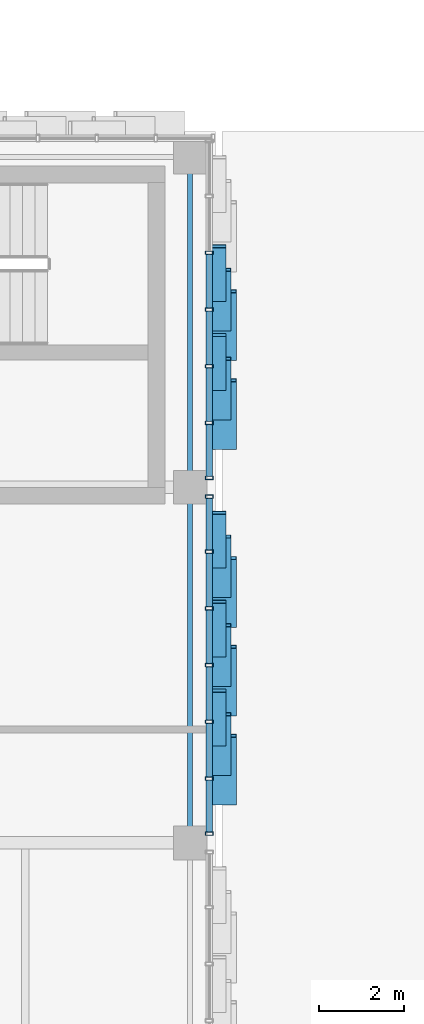
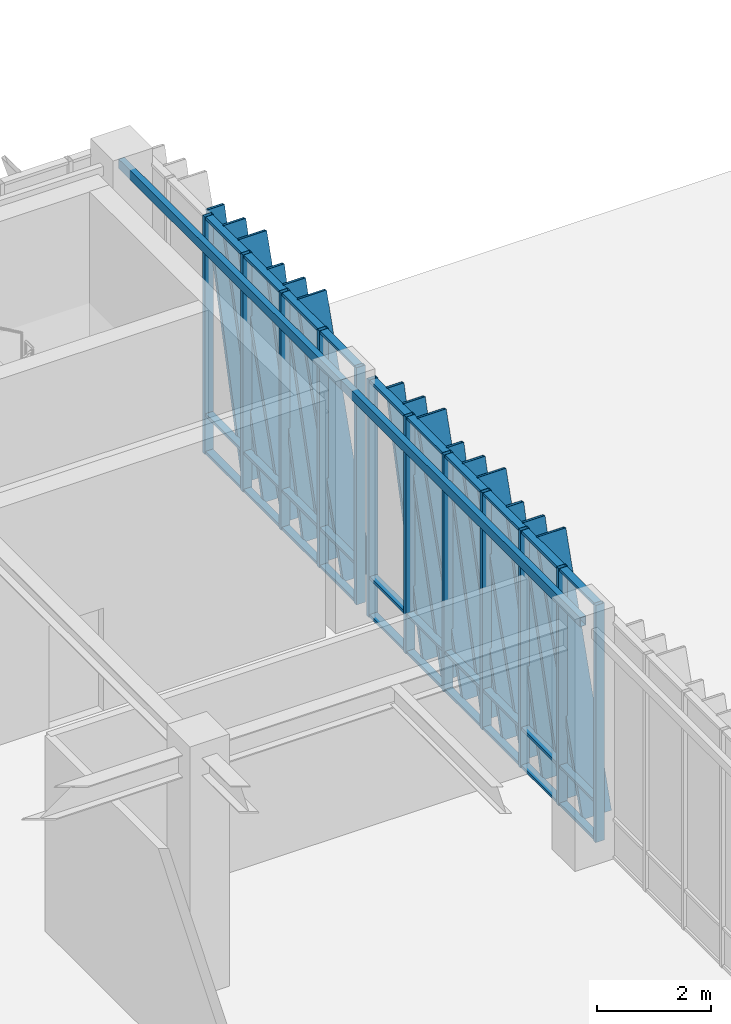
# One storey, part 62 of 122: 57 members, 2 beams, 2 elements without a shape of their own.
"""IFC4 building model written with IfcOpenShell, lengths in metres."""

from ifc_helpers import new_model, si_unit, direction, frame, origin, origin_2d, place, context, subcontext, project, spatial, hollow_rectangle, extrude, material, layer, layer_set, material_profile, profile_set, type_object, element, aggregate, save


model = new_model("IFC4")

# Units and contexts
model_context = context("Model", 3, precision=1e-05, world=origin(), true_north=direction((0.0, 1.0)))
body_context = subcontext(model_context, "Body", "Model", "MODEL_VIEW")
ifc_project = project(units=[si_unit("LENGTHUNIT", "METRE"), si_unit("AREAUNIT", "SQUARE_METRE"), si_unit("VOLUMEUNIT", "CUBIC_METRE"), si_unit("PLANEANGLEUNIT", "RADIAN"), si_unit("MASSUNIT", "GRAM", prefix="KILO")], contexts=[model_context])

# Site, building, storey
site_placement = place(None, origin())
site = spatial("IfcSite", under=ifc_project, at=site_placement, CompositionType="ELEMENT")
building_placement = place(site_placement, origin())
building = spatial("IfcBuilding", under=site, at=building_placement, Name="Zayran Congress Hotel", CompositionType="ELEMENT")
storey_placement = place(building_placement, origin())
storey = spatial("IfcBuildingStorey", under=building, at=storey_placement, Name="L00", CompositionType="ELEMENT", Elevation=0.0)

# Beams
ifc_material_1 = material(Name="Steel S355", Category="steel")
ifc_material_profile_1 = material_profile(ifc_material_1, hollow_rectangle(XDim=0.1201171875, YDim=0.199951171875, WallThickness=0.008056640625, at=origin_2d()), Name="RHS 200x120x8")
ifc_profile_set_1 = profile_set([ifc_material_profile_1], Name="Steel S355")
beam_type = type_object("IfcBeamType", Name="TP-SP-02", PredefinedType="SPANDREL", material=ifc_profile_set_1)
beam_1_placement = place(storey_placement, frame((91.800048828125, 101.199951171875, 4.97998046875), z_axis=(0.0, 1.0, 0.0), x_axis=(-1.0, 0.0, 0.0)))
element("IfcBeam", 1, at=beam_1_placement, inside=storey, type_object=beam_type, Name="BM-V1-L00-0489", PredefinedType="SPANDREL", context=body_context, shape_type="SweptSolid", body=[
    extrude(hollow_rectangle(XDim=0.1201171875, YDim=0.199951171875, WallThickness=0.008056640625, at=origin_2d()), origin(), (0.0, 0.0, 1.0), 8.400146484375),
])
beam_2_placement = place(storey_placement, frame((91.800048828125, 109.60009765625, 4.97998046875), z_axis=(0.0, 1.0, 0.0), x_axis=(-1.0, 0.0, 0.0)))
element("IfcBeam", 2, at=beam_2_placement, inside=storey, type_object=beam_type, Name="BM-V1-L00-0490", PredefinedType="SPANDREL", context=body_context, shape_type="SweptSolid", body=[
    extrude(hollow_rectangle(XDim=0.1201171875, YDim=0.199951171875, WallThickness=0.008056640625, at=origin_2d()), origin(), (0.0, 0.0, 1.0), 7.7998046875),
])

# Curtain wall, members
ifc_material_2 = material(Name="Anodised aluminium and low-E insulated glass", Category="aluminium")
ifc_layer_1 = layer(ifc_material_2, 0.179931640625)
ifc_layer_set_1 = layer_set([ifc_layer_1], Name="Anodised aluminium and low-E insulated glass")
curtain_wall_type_1 = type_object("IfcCurtainWallType", Name="CW-V1E-L00-CW-41-8040-5080", PredefinedType="USERDEFINED", material=ifc_layer_set_1)
curtain_wall_1_placement = place(storey_placement, origin())
curtain_wall_1 = element("IfcCurtainWall", 3, at=curtain_wall_1_placement, inside=storey, type_object=curtain_wall_type_1, Name="CW-V1E-L00-4", ObjectType="CURTAIN WALL", PredefinedType="USERDEFINED")
ifc_material_3 = material(Name="Anodised aluminium framing", Category="aluminium")
ifc_material_profile_2 = material_profile(ifc_material_3, hollow_rectangle(XDim=0.080078125, YDim=0.179931640625, WallThickness=0.0048828125, at=origin_2d()), Name="RHS 180x80x5")
ifc_profile_set_2 = profile_set([ifc_material_profile_2], Name="Anodised aluminium framing")
member_type_1 = type_object("IfcMemberType", Name="TP-CWM-01", PredefinedType="MULLION", material=ifc_profile_set_2)
member_1_placement = place(storey_placement, frame((92.25, 101.419921875, 0.0), z_axis=(0.0, 0.0, 1.0), x_axis=(0.0, 1.0, 0.0)))
member_1 = element("IfcMember", 4, at=member_1_placement, type_object=member_type_1, Name="CW-V1E-L00-4-M00", PredefinedType="MULLION", context=body_context, shape_type="SweptSolid", body=[
    extrude(hollow_rectangle(XDim=0.080078125, YDim=0.179931640625, WallThickness=0.0048828125, at=origin_2d()), origin(), (0.0, 0.0, 1.0), 5.080078125),
])
member_2_placement = place(storey_placement, frame((92.25, 102.719970703125, 0.0), z_axis=(0.0, 0.0, 1.0), x_axis=(0.0, 1.0, 0.0)))
member_2 = element("IfcMember", 5, at=member_2_placement, type_object=member_type_1, Name="CW-V1E-L00-4-M01", PredefinedType="MULLION", context=body_context, shape_type="SweptSolid", body=[
    extrude(hollow_rectangle(XDim=0.080078125, YDim=0.179931640625, WallThickness=0.0048828125, at=origin_2d()), origin(), (0.0, 0.0, 1.0), 5.080078125),
])
member_3_placement = place(storey_placement, frame((92.25, 104.06005859375, 0.0), z_axis=(0.0, 0.0, 1.0), x_axis=(0.0, 1.0, 0.0)))
member_3 = element("IfcMember", 6, at=member_3_placement, type_object=member_type_1, Name="CW-V1E-L00-4-M02", PredefinedType="MULLION", context=body_context, shape_type="SweptSolid", body=[
    extrude(hollow_rectangle(XDim=0.080078125, YDim=0.179931640625, WallThickness=0.0048828125, at=origin_2d()), origin(), (0.0, 0.0, 1.0), 5.080078125),
])
member_4_placement = place(storey_placement, frame((92.25, 105.39990234375, 0.0), z_axis=(0.0, 0.0, 1.0), x_axis=(0.0, 1.0, 0.0)))
member_4 = element("IfcMember", 7, at=member_4_placement, type_object=member_type_1, Name="CW-V1E-L00-4-M03", PredefinedType="MULLION", context=body_context, shape_type="SweptSolid", body=[
    extrude(hollow_rectangle(XDim=0.080078125, YDim=0.179931640625, WallThickness=0.0048828125, at=origin_2d()), origin(), (0.0, 0.0, 1.0), 5.080078125),
])
member_5_placement = place(storey_placement, frame((92.25, 106.739990234375, 0.0), z_axis=(0.0, 0.0, 1.0), x_axis=(0.0, 1.0, 0.0)))
member_5 = element("IfcMember", 8, at=member_5_placement, type_object=member_type_1, Name="CW-V1E-L00-4-M04", PredefinedType="MULLION", context=body_context, shape_type="SweptSolid", body=[
    extrude(hollow_rectangle(XDim=0.080078125, YDim=0.179931640625, WallThickness=0.0048828125, at=origin_2d()), origin(), (0.0, 0.0, 1.0), 5.080078125),
])
member_6_placement = place(storey_placement, frame((92.25, 108.080078125, 0.0), z_axis=(0.0, 0.0, 1.0), x_axis=(0.0, 1.0, 0.0)))
member_6 = element("IfcMember", 9, at=member_6_placement, type_object=member_type_1, Name="CW-V1E-L00-4-M05", PredefinedType="MULLION", context=body_context, shape_type="SweptSolid", body=[
    extrude(hollow_rectangle(XDim=0.080078125, YDim=0.179931640625, WallThickness=0.0048828125, at=origin_2d()), origin(), (0.0, 0.0, 1.0), 5.080078125),
])
member_7_placement = place(storey_placement, frame((92.25, 109.3798828125, 0.0), z_axis=(0.0, 0.0, 1.0), x_axis=(0.0, 1.0, 0.0)))
member_7 = element("IfcMember", 10, at=member_7_placement, type_object=member_type_1, Name="CW-V1E-L00-4-M06", PredefinedType="MULLION", context=body_context, shape_type="SweptSolid", body=[
    extrude(hollow_rectangle(XDim=0.080078125, YDim=0.179931640625, WallThickness=0.0048828125, at=origin_2d()), origin(), (0.0, 0.0, 1.0), 5.080078125),
])

ifc_layer_2 = layer(ifc_material_2, 0.179931640625)
ifc_layer_set_2 = layer_set([ifc_layer_2], Name="Anodised aluminium and low-E insulated glass")
curtain_wall_type_2 = type_object("IfcCurtainWallType", Name="CW-V1E-L00-CW-42-8040-5080", PredefinedType="USERDEFINED", material=ifc_layer_set_2)
curtain_wall_2_placement = place(storey_placement, origin())
curtain_wall_2 = element("IfcCurtainWall", 11, at=curtain_wall_2_placement, inside=storey, type_object=curtain_wall_type_2, Name="CW-V1E-L00-5", ObjectType="CURTAIN WALL", PredefinedType="USERDEFINED")
member_8_placement = place(storey_placement, frame((92.25, 109.820068359375, 0.0), z_axis=(0.0, 0.0, 1.0), x_axis=(0.0, 1.0, 0.0)))
member_8 = element("IfcMember", 12, at=member_8_placement, type_object=member_type_1, Name="CW-V1E-L00-5-M00", PredefinedType="MULLION", context=body_context, shape_type="SweptSolid", body=[
    extrude(hollow_rectangle(XDim=0.080078125, YDim=0.179931640625, WallThickness=0.0048828125, at=origin_2d()), origin(), (0.0, 0.0, 1.0), 5.080078125),
])
member_9_placement = place(storey_placement, frame((92.25, 111.1201171875, 0.0), z_axis=(0.0, 0.0, 1.0), x_axis=(0.0, 1.0, 0.0)))
member_9 = element("IfcMember", 13, at=member_9_placement, type_object=member_type_1, Name="CW-V1E-L00-5-M01", PredefinedType="MULLION", context=body_context, shape_type="SweptSolid", body=[
    extrude(hollow_rectangle(XDim=0.080078125, YDim=0.179931640625, WallThickness=0.0048828125, at=origin_2d()), origin(), (0.0, 0.0, 1.0), 5.080078125),
])
member_10_placement = place(storey_placement, frame((92.25, 112.4599609375, 0.0), z_axis=(0.0, 0.0, 1.0), x_axis=(0.0, 1.0, 0.0)))
member_10 = element("IfcMember", 14, at=member_10_placement, type_object=member_type_1, Name="CW-V1E-L00-5-M02", PredefinedType="MULLION", context=body_context, shape_type="SweptSolid", body=[
    extrude(hollow_rectangle(XDim=0.080078125, YDim=0.179931640625, WallThickness=0.0048828125, at=origin_2d()), origin(), (0.0, 0.0, 1.0), 5.080078125),
])
member_11_placement = place(storey_placement, frame((92.25, 113.800048828125, 0.0), z_axis=(0.0, 0.0, 1.0), x_axis=(0.0, 1.0, 0.0)))
member_11 = element("IfcMember", 15, at=member_11_placement, type_object=member_type_1, Name="CW-V1E-L00-5-M03", PredefinedType="MULLION", context=body_context, shape_type="SweptSolid", body=[
    extrude(hollow_rectangle(XDim=0.080078125, YDim=0.179931640625, WallThickness=0.0048828125, at=origin_2d()), origin(), (0.0, 0.0, 1.0), 5.080078125),
])
member_12_placement = place(storey_placement, frame((92.25, 115.139892578125, 0.0), z_axis=(0.0, 0.0, 1.0), x_axis=(0.0, 1.0, 0.0)))
member_12 = element("IfcMember", 16, at=member_12_placement, type_object=member_type_1, Name="CW-V1E-L00-5-M04", PredefinedType="MULLION", context=body_context, shape_type="SweptSolid", body=[
    extrude(hollow_rectangle(XDim=0.080078125, YDim=0.179931640625, WallThickness=0.0048828125, at=origin_2d()), origin(), (0.0, 0.0, 1.0), 5.080078125),
])

# Member
ifc_material_profile_3 = material_profile(ifc_material_3, hollow_rectangle(XDim=0.06005859375, YDim=0.14990234375, WallThickness=0.00390625, at=origin_2d()), Name="RHS 150x60x4")
ifc_profile_set_3 = profile_set([ifc_material_profile_3], Name="Anodised aluminium framing")
member_type_2 = type_object("IfcMemberType", Name="TP-CWT-01", PredefinedType="USERDEFINED", material=ifc_profile_set_3)
member_13_placement = place(storey_placement, frame((92.25, 101.4599609375, 0.030029296875), z_axis=(0.0, 1.0, 0.0), x_axis=(0.0, 0.0, 1.0)))
member_13 = element("IfcMember", 17, at=member_13_placement, type_object=member_type_2, Name="CW-V1E-L00-4-T00-0", ObjectType="TRANSOM", PredefinedType="USERDEFINED", context=body_context, shape_type="SweptSolid", body=[
    extrude(hollow_rectangle(XDim=0.06005859375, YDim=0.14990234375, WallThickness=0.00390625, at=origin_2d()), origin(), (0.0, 0.0, 1.0), 1.219970703125),
])

member_14_placement = place(storey_placement, frame((92.25, 101.4599609375, 0.840087890625), z_axis=(0.0, 1.0, 0.0), x_axis=(0.0, 0.0, 1.0)))
member_14 = element("IfcMember", 18, at=member_14_placement, type_object=member_type_2, Name="CW-V1E-L00-4-T00-1", ObjectType="TRANSOM", PredefinedType="USERDEFINED", context=body_context, shape_type="SweptSolid", body=[
    extrude(hollow_rectangle(XDim=0.06005859375, YDim=0.14990234375, WallThickness=0.00390625, at=origin_2d()), origin(), (0.0, 0.0, 1.0), 1.219970703125),
])

member_15_placement = place(storey_placement, frame((92.25, 101.4599609375, 5.050048828125), z_axis=(0.0, 1.0, 0.0), x_axis=(0.0, 0.0, 1.0)))
member_15 = element("IfcMember", 19, at=member_15_placement, type_object=member_type_2, Name="CW-V1E-L00-4-T00-2", ObjectType="TRANSOM", PredefinedType="USERDEFINED", context=body_context, shape_type="SweptSolid", body=[
    extrude(hollow_rectangle(XDim=0.06005859375, YDim=0.14990234375, WallThickness=0.00390625, at=origin_2d()), origin(), (0.0, 0.0, 1.0), 1.219970703125),
])

member_16_placement = place(storey_placement, frame((92.25, 102.760009765625, 0.030029296875), z_axis=(0.0, 1.0, 0.0), x_axis=(0.0, 0.0, 1.0)))
member_16 = element("IfcMember", 20, at=member_16_placement, type_object=member_type_2, Name="CW-V1E-L00-4-T01-0", ObjectType="TRANSOM", PredefinedType="USERDEFINED", context=body_context, shape_type="SweptSolid", body=[
    extrude(hollow_rectangle(XDim=0.06005859375, YDim=0.14990234375, WallThickness=0.00390625, at=origin_2d()), origin(), (0.0, 0.0, 1.0), 1.260009765625),
])

member_17_placement = place(storey_placement, frame((92.25, 102.760009765625, 0.840087890625), z_axis=(0.0, 1.0, 0.0), x_axis=(0.0, 0.0, 1.0)))
member_17 = element("IfcMember", 21, at=member_17_placement, type_object=member_type_2, Name="CW-V1E-L00-4-T01-1", ObjectType="TRANSOM", PredefinedType="USERDEFINED", context=body_context, shape_type="SweptSolid", body=[
    extrude(hollow_rectangle(XDim=0.06005859375, YDim=0.14990234375, WallThickness=0.00390625, at=origin_2d()), origin(), (0.0, 0.0, 1.0), 1.260009765625),
])

member_18_placement = place(storey_placement, frame((92.25, 102.760009765625, 5.050048828125), z_axis=(0.0, 1.0, 0.0), x_axis=(0.0, 0.0, 1.0)))
member_18 = element("IfcMember", 22, at=member_18_placement, type_object=member_type_2, Name="CW-V1E-L00-4-T01-2", ObjectType="TRANSOM", PredefinedType="USERDEFINED", context=body_context, shape_type="SweptSolid", body=[
    extrude(hollow_rectangle(XDim=0.06005859375, YDim=0.14990234375, WallThickness=0.00390625, at=origin_2d()), origin(), (0.0, 0.0, 1.0), 1.260009765625),
])

member_19_placement = place(storey_placement, frame((92.25, 104.10009765625, 0.030029296875), z_axis=(0.0, 1.0, 0.0), x_axis=(0.0, 0.0, 1.0)))
member_19 = element("IfcMember", 23, at=member_19_placement, type_object=member_type_2, Name="CW-V1E-L00-4-T02-0", ObjectType="TRANSOM", PredefinedType="USERDEFINED", context=body_context, shape_type="SweptSolid", body=[
    extrude(hollow_rectangle(XDim=0.06005859375, YDim=0.14990234375, WallThickness=0.00390625, at=origin_2d()), origin(), (0.0, 0.0, 1.0), 1.260009765625),
])

member_20_placement = place(storey_placement, frame((92.25, 104.10009765625, 0.840087890625), z_axis=(0.0, 1.0, 0.0), x_axis=(0.0, 0.0, 1.0)))
member_20 = element("IfcMember", 24, at=member_20_placement, type_object=member_type_2, Name="CW-V1E-L00-4-T02-1", ObjectType="TRANSOM", PredefinedType="USERDEFINED", context=body_context, shape_type="SweptSolid", body=[
    extrude(hollow_rectangle(XDim=0.06005859375, YDim=0.14990234375, WallThickness=0.00390625, at=origin_2d()), origin(), (0.0, 0.0, 1.0), 1.260009765625),
])

member_21_placement = place(storey_placement, frame((92.25, 104.10009765625, 5.050048828125), z_axis=(0.0, 1.0, 0.0), x_axis=(0.0, 0.0, 1.0)))
member_21 = element("IfcMember", 25, at=member_21_placement, type_object=member_type_2, Name="CW-V1E-L00-4-T02-2", ObjectType="TRANSOM", PredefinedType="USERDEFINED", context=body_context, shape_type="SweptSolid", body=[
    extrude(hollow_rectangle(XDim=0.06005859375, YDim=0.14990234375, WallThickness=0.00390625, at=origin_2d()), origin(), (0.0, 0.0, 1.0), 1.260009765625),
])

member_22_placement = place(storey_placement, frame((92.25, 105.43994140625, 0.030029296875), z_axis=(0.0, 1.0, 0.0), x_axis=(0.0, 0.0, 1.0)))
member_22 = element("IfcMember", 26, at=member_22_placement, type_object=member_type_2, Name="CW-V1E-L00-4-T03-0", ObjectType="TRANSOM", PredefinedType="USERDEFINED", context=body_context, shape_type="SweptSolid", body=[
    extrude(hollow_rectangle(XDim=0.06005859375, YDim=0.14990234375, WallThickness=0.00390625, at=origin_2d()), origin(), (0.0, 0.0, 1.0), 1.260009765625),
])

member_23_placement = place(storey_placement, frame((92.25, 105.43994140625, 0.840087890625), z_axis=(0.0, 1.0, 0.0), x_axis=(0.0, 0.0, 1.0)))
member_23 = element("IfcMember", 27, at=member_23_placement, type_object=member_type_2, Name="CW-V1E-L00-4-T03-1", ObjectType="TRANSOM", PredefinedType="USERDEFINED", context=body_context, shape_type="SweptSolid", body=[
    extrude(hollow_rectangle(XDim=0.06005859375, YDim=0.14990234375, WallThickness=0.00390625, at=origin_2d()), origin(), (0.0, 0.0, 1.0), 1.260009765625),
])

member_24_placement = place(storey_placement, frame((92.25, 105.43994140625, 5.050048828125), z_axis=(0.0, 1.0, 0.0), x_axis=(0.0, 0.0, 1.0)))
member_24 = element("IfcMember", 28, at=member_24_placement, type_object=member_type_2, Name="CW-V1E-L00-4-T03-2", ObjectType="TRANSOM", PredefinedType="USERDEFINED", context=body_context, shape_type="SweptSolid", body=[
    extrude(hollow_rectangle(XDim=0.06005859375, YDim=0.14990234375, WallThickness=0.00390625, at=origin_2d()), origin(), (0.0, 0.0, 1.0), 1.260009765625),
])

member_25_placement = place(storey_placement, frame((92.25, 106.780029296875, 0.030029296875), z_axis=(0.0, 1.0, 0.0), x_axis=(0.0, 0.0, 1.0)))
member_25 = element("IfcMember", 29, at=member_25_placement, type_object=member_type_2, Name="CW-V1E-L00-4-T04-0", ObjectType="TRANSOM", PredefinedType="USERDEFINED", context=body_context, shape_type="SweptSolid", body=[
    extrude(hollow_rectangle(XDim=0.06005859375, YDim=0.14990234375, WallThickness=0.00390625, at=origin_2d()), origin(), (0.0, 0.0, 1.0), 1.260009765625),
])

member_26_placement = place(storey_placement, frame((92.25, 106.780029296875, 0.840087890625), z_axis=(0.0, 1.0, 0.0), x_axis=(0.0, 0.0, 1.0)))
member_26 = element("IfcMember", 30, at=member_26_placement, type_object=member_type_2, Name="CW-V1E-L00-4-T04-1", ObjectType="TRANSOM", PredefinedType="USERDEFINED", context=body_context, shape_type="SweptSolid", body=[
    extrude(hollow_rectangle(XDim=0.06005859375, YDim=0.14990234375, WallThickness=0.00390625, at=origin_2d()), origin(), (0.0, 0.0, 1.0), 1.260009765625),
])

member_27_placement = place(storey_placement, frame((92.25, 106.780029296875, 5.050048828125), z_axis=(0.0, 1.0, 0.0), x_axis=(0.0, 0.0, 1.0)))
member_27 = element("IfcMember", 31, at=member_27_placement, type_object=member_type_2, Name="CW-V1E-L00-4-T04-2", ObjectType="TRANSOM", PredefinedType="USERDEFINED", context=body_context, shape_type="SweptSolid", body=[
    extrude(hollow_rectangle(XDim=0.06005859375, YDim=0.14990234375, WallThickness=0.00390625, at=origin_2d()), origin(), (0.0, 0.0, 1.0), 1.260009765625),
])

member_28_placement = place(storey_placement, frame((92.25, 108.1201171875, 0.030029296875), z_axis=(0.0, 1.0, 0.0), x_axis=(0.0, 0.0, 1.0)))
member_28 = element("IfcMember", 32, at=member_28_placement, type_object=member_type_2, Name="CW-V1E-L00-4-T05-0", ObjectType="TRANSOM", PredefinedType="USERDEFINED", context=body_context, shape_type="SweptSolid", body=[
    extrude(hollow_rectangle(XDim=0.06005859375, YDim=0.14990234375, WallThickness=0.00390625, at=origin_2d()), origin(), (0.0, 0.0, 1.0), 1.219970703125),
])

member_29_placement = place(storey_placement, frame((92.25, 108.1201171875, 0.840087890625), z_axis=(0.0, 1.0, 0.0), x_axis=(0.0, 0.0, 1.0)))
member_29 = element("IfcMember", 33, at=member_29_placement, type_object=member_type_2, Name="CW-V1E-L00-4-T05-1", ObjectType="TRANSOM", PredefinedType="USERDEFINED", context=body_context, shape_type="SweptSolid", body=[
    extrude(hollow_rectangle(XDim=0.06005859375, YDim=0.14990234375, WallThickness=0.00390625, at=origin_2d()), origin(), (0.0, 0.0, 1.0), 1.219970703125),
])

member_30_placement = place(storey_placement, frame((92.25, 108.1201171875, 5.050048828125), z_axis=(0.0, 1.0, 0.0), x_axis=(0.0, 0.0, 1.0)))
member_30 = element("IfcMember", 34, at=member_30_placement, type_object=member_type_2, Name="CW-V1E-L00-4-T05-2", ObjectType="TRANSOM", PredefinedType="USERDEFINED", context=body_context, shape_type="SweptSolid", body=[
    extrude(hollow_rectangle(XDim=0.06005859375, YDim=0.14990234375, WallThickness=0.00390625, at=origin_2d()), origin(), (0.0, 0.0, 1.0), 1.219970703125),
])

member_31_placement = place(storey_placement, frame((92.25, 109.860107421875, 0.030029296875), z_axis=(0.0, 1.0, 0.0), x_axis=(0.0, 0.0, 1.0)))
member_31 = element("IfcMember", 35, at=member_31_placement, type_object=member_type_2, Name="CW-V1E-L00-5-T00-0", ObjectType="TRANSOM", PredefinedType="USERDEFINED", context=body_context, shape_type="SweptSolid", body=[
    extrude(hollow_rectangle(XDim=0.06005859375, YDim=0.14990234375, WallThickness=0.00390625, at=origin_2d()), origin(), (0.0, 0.0, 1.0), 1.219970703125),
])

member_32_placement = place(storey_placement, frame((92.25, 109.860107421875, 0.840087890625), z_axis=(0.0, 1.0, 0.0), x_axis=(0.0, 0.0, 1.0)))
member_32 = element("IfcMember", 36, at=member_32_placement, type_object=member_type_2, Name="CW-V1E-L00-5-T00-1", ObjectType="TRANSOM", PredefinedType="USERDEFINED", context=body_context, shape_type="SweptSolid", body=[
    extrude(hollow_rectangle(XDim=0.06005859375, YDim=0.14990234375, WallThickness=0.00390625, at=origin_2d()), origin(), (0.0, 0.0, 1.0), 1.219970703125),
])

member_33_placement = place(storey_placement, frame((92.25, 109.860107421875, 5.050048828125), z_axis=(0.0, 1.0, 0.0), x_axis=(0.0, 0.0, 1.0)))
member_33 = element("IfcMember", 37, at=member_33_placement, type_object=member_type_2, Name="CW-V1E-L00-5-T00-2", ObjectType="TRANSOM", PredefinedType="USERDEFINED", context=body_context, shape_type="SweptSolid", body=[
    extrude(hollow_rectangle(XDim=0.06005859375, YDim=0.14990234375, WallThickness=0.00390625, at=origin_2d()), origin(), (0.0, 0.0, 1.0), 1.219970703125),
])

member_34_placement = place(storey_placement, frame((92.25, 111.159912109375, 0.030029296875), z_axis=(0.0, 1.0, 0.0), x_axis=(0.0, 0.0, 1.0)))
member_34 = element("IfcMember", 38, at=member_34_placement, type_object=member_type_2, Name="CW-V1E-L00-5-T01-0", ObjectType="TRANSOM", PredefinedType="USERDEFINED", context=body_context, shape_type="SweptSolid", body=[
    extrude(hollow_rectangle(XDim=0.06005859375, YDim=0.14990234375, WallThickness=0.00390625, at=origin_2d()), origin(), (0.0, 0.0, 1.0), 1.260009765625),
])

member_35_placement = place(storey_placement, frame((92.25, 111.159912109375, 0.840087890625), z_axis=(0.0, 1.0, 0.0), x_axis=(0.0, 0.0, 1.0)))
member_35 = element("IfcMember", 39, at=member_35_placement, type_object=member_type_2, Name="CW-V1E-L00-5-T01-1", ObjectType="TRANSOM", PredefinedType="USERDEFINED", context=body_context, shape_type="SweptSolid", body=[
    extrude(hollow_rectangle(XDim=0.06005859375, YDim=0.14990234375, WallThickness=0.00390625, at=origin_2d()), origin(), (0.0, 0.0, 1.0), 1.260009765625),
])

member_36_placement = place(storey_placement, frame((92.25, 111.159912109375, 5.050048828125), z_axis=(0.0, 1.0, 0.0), x_axis=(0.0, 0.0, 1.0)))
member_36 = element("IfcMember", 40, at=member_36_placement, type_object=member_type_2, Name="CW-V1E-L00-5-T01-2", ObjectType="TRANSOM", PredefinedType="USERDEFINED", context=body_context, shape_type="SweptSolid", body=[
    extrude(hollow_rectangle(XDim=0.06005859375, YDim=0.14990234375, WallThickness=0.00390625, at=origin_2d()), origin(), (0.0, 0.0, 1.0), 1.260009765625),
])

member_37_placement = place(storey_placement, frame((92.25, 112.5, 0.030029296875), z_axis=(0.0, 1.0, 0.0), x_axis=(0.0, 0.0, 1.0)))
member_37 = element("IfcMember", 41, at=member_37_placement, type_object=member_type_2, Name="CW-V1E-L00-5-T02-0", ObjectType="TRANSOM", PredefinedType="USERDEFINED", context=body_context, shape_type="SweptSolid", body=[
    extrude(hollow_rectangle(XDim=0.06005859375, YDim=0.14990234375, WallThickness=0.00390625, at=origin_2d()), origin(), (0.0, 0.0, 1.0), 1.260009765625),
])

member_38_placement = place(storey_placement, frame((92.25, 112.5, 0.840087890625), z_axis=(0.0, 1.0, 0.0), x_axis=(0.0, 0.0, 1.0)))
member_38 = element("IfcMember", 42, at=member_38_placement, type_object=member_type_2, Name="CW-V1E-L00-5-T02-1", ObjectType="TRANSOM", PredefinedType="USERDEFINED", context=body_context, shape_type="SweptSolid", body=[
    extrude(hollow_rectangle(XDim=0.06005859375, YDim=0.14990234375, WallThickness=0.00390625, at=origin_2d()), origin(), (0.0, 0.0, 1.0), 1.260009765625),
])

member_39_placement = place(storey_placement, frame((92.25, 112.5, 5.050048828125), z_axis=(0.0, 1.0, 0.0), x_axis=(0.0, 0.0, 1.0)))
member_39 = element("IfcMember", 43, at=member_39_placement, type_object=member_type_2, Name="CW-V1E-L00-5-T02-2", ObjectType="TRANSOM", PredefinedType="USERDEFINED", context=body_context, shape_type="SweptSolid", body=[
    extrude(hollow_rectangle(XDim=0.06005859375, YDim=0.14990234375, WallThickness=0.00390625, at=origin_2d()), origin(), (0.0, 0.0, 1.0), 1.260009765625),
])

member_40_placement = place(storey_placement, frame((92.25, 113.840087890625, 0.030029296875), z_axis=(0.0, 1.0, 0.0), x_axis=(0.0, 0.0, 1.0)))
member_40 = element("IfcMember", 44, at=member_40_placement, type_object=member_type_2, Name="CW-V1E-L00-5-T03-0", ObjectType="TRANSOM", PredefinedType="USERDEFINED", context=body_context, shape_type="SweptSolid", body=[
    extrude(hollow_rectangle(XDim=0.06005859375, YDim=0.14990234375, WallThickness=0.00390625, at=origin_2d()), origin(), (0.0, 0.0, 1.0), 1.260009765625),
])

member_41_placement = place(storey_placement, frame((92.25, 113.840087890625, 0.840087890625), z_axis=(0.0, 1.0, 0.0), x_axis=(0.0, 0.0, 1.0)))
member_41 = element("IfcMember", 45, at=member_41_placement, type_object=member_type_2, Name="CW-V1E-L00-5-T03-1", ObjectType="TRANSOM", PredefinedType="USERDEFINED", context=body_context, shape_type="SweptSolid", body=[
    extrude(hollow_rectangle(XDim=0.06005859375, YDim=0.14990234375, WallThickness=0.00390625, at=origin_2d()), origin(), (0.0, 0.0, 1.0), 1.260009765625),
])

member_42_placement = place(storey_placement, frame((92.25, 113.840087890625, 5.050048828125), z_axis=(0.0, 1.0, 0.0), x_axis=(0.0, 0.0, 1.0)))
member_42 = element("IfcMember", 46, at=member_42_placement, type_object=member_type_2, Name="CW-V1E-L00-5-T03-2", ObjectType="TRANSOM", PredefinedType="USERDEFINED", context=body_context, shape_type="SweptSolid", body=[
    extrude(hollow_rectangle(XDim=0.06005859375, YDim=0.14990234375, WallThickness=0.00390625, at=origin_2d()), origin(), (0.0, 0.0, 1.0), 1.260009765625),
])

ifc_material_4 = material(Name="Warm bronze anodised aluminium", Category="aluminium")
ifc_material_profile_4 = material_profile(ifc_material_4, hollow_rectangle(XDim=0.080078125, YDim=0.580078125, WallThickness=0.006103515625, at=origin_2d()), Name="RHS 580x80x6")
ifc_profile_set_4 = profile_set([ifc_material_profile_4], Name="Warm bronze anodised aluminium")
member_type_3 = type_object("IfcMemberType", Name="TP-RFN-01", PredefinedType="MULLION", material=ifc_profile_set_4)
member_43_placement = place(storey_placement, frame((92.60009765625, 102.1298828125, 0.0), z_axis=(0.0, 0.300716755525, 0.953713496259), x_axis=(0.0, -0.953713496259, 0.300716755525)))
member_43 = element("IfcMember", 47, at=member_43_placement, type_object=member_type_3, Name="Slanting Reed Mullion CW-41-01", PredefinedType="MULLION", context=body_context, shape_type="SweptSolid", body=[
    extrude(hollow_rectangle(XDim=0.080078125, YDim=0.580078125, WallThickness=0.006103515625, at=origin_2d()), origin(), (0.0, 0.0, 1.0), 5.32666015625),
])

member_44_placement = place(storey_placement, frame((92.60009765625, 104.22998046875, 0.0), z_axis=(0.0, 0.300716755525, 0.953713496259), x_axis=(0.0, -0.953713496259, 0.300716755525)))
member_44 = element("IfcMember", 48, at=member_44_placement, type_object=member_type_3, Name="Slanting Reed Mullion CW-41-04", PredefinedType="MULLION", context=body_context, shape_type="SweptSolid", body=[
    extrude(hollow_rectangle(XDim=0.080078125, YDim=0.580078125, WallThickness=0.006103515625, at=origin_2d()), origin(), (0.0, 0.0, 1.0), 5.32666015625),
])

member_45_placement = place(storey_placement, frame((92.60009765625, 106.330078125, 0.0), z_axis=(0.0, 0.300675065474, 0.953726640606), x_axis=(0.0, -0.953726640606, 0.300675065474)))
member_45 = element("IfcMember", 49, at=member_45_placement, type_object=member_type_3, Name="Slanting Reed Mullion CW-41-07", PredefinedType="MULLION", context=body_context, shape_type="SweptSolid", body=[
    extrude(hollow_rectangle(XDim=0.080078125, YDim=0.580078125, WallThickness=0.006103515625, at=origin_2d()), origin(), (0.0, 0.0, 1.0), 5.32666015625),
])

member_46_placement = place(storey_placement, frame((92.60009765625, 110.530029296875, 0.0), z_axis=(0.0, 0.300675065474, 0.953726640606), x_axis=(0.0, -0.953726640606, 0.300675065474)))
member_46 = element("IfcMember", 50, at=member_46_placement, type_object=member_type_3, Name="Slanting Reed Mullion CW-42-01", PredefinedType="MULLION", context=body_context, shape_type="SweptSolid", body=[
    extrude(hollow_rectangle(XDim=0.080078125, YDim=0.580078125, WallThickness=0.006103515625, at=origin_2d()), origin(), (0.0, 0.0, 1.0), 5.32666015625),
])

member_47_placement = place(storey_placement, frame((92.60009765625, 112.6298828125, 0.0), z_axis=(0.0, 0.300716755525, 0.953713496259), x_axis=(0.0, -0.953713496259, 0.300716755525)))
member_47 = element("IfcMember", 51, at=member_47_placement, type_object=member_type_3, Name="Slanting Reed Mullion CW-42-04", PredefinedType="MULLION", context=body_context, shape_type="SweptSolid", body=[
    extrude(hollow_rectangle(XDim=0.080078125, YDim=0.580078125, WallThickness=0.006103515625, at=origin_2d()), origin(), (0.0, 0.0, 1.0), 5.32666015625),
])

ifc_material_profile_5 = material_profile(ifc_material_4, hollow_rectangle(XDim=0.080078125, YDim=0.449951171875, WallThickness=0.006103515625, at=origin_2d()), Name="RHS 450x80x6")
ifc_profile_set_5 = profile_set([ifc_material_profile_5], Name="Warm bronze anodised aluminium")
member_type_4 = type_object("IfcMemberType", Name="TP-RFN-02", PredefinedType="MULLION", material=ifc_profile_set_5)
member_48_placement = place(storey_placement, frame((92.534912109375, 102.830078125, 0.0), z_axis=(0.0, 0.267213902124, 0.963637240102), x_axis=(0.0, -0.963637240102, 0.267213902124)))
member_48 = element("IfcMember", 52, at=member_48_placement, type_object=member_type_4, Name="Slanting Reed Mullion CW-41-02", PredefinedType="MULLION", context=body_context, shape_type="SweptSolid", body=[
    extrude(hollow_rectangle(XDim=0.080078125, YDim=0.449951171875, WallThickness=0.006103515625, at=origin_2d()), origin(), (0.0, 0.0, 1.0), 5.271728515625),
])

member_49_placement = place(storey_placement, frame((92.534912109375, 104.929931640625, 0.0), z_axis=(0.0, 0.267256905477, 0.96362531436), x_axis=(0.0, -0.96362531436, 0.267256905477)))
member_49 = element("IfcMember", 53, at=member_49_placement, type_object=member_type_4, Name="Slanting Reed Mullion CW-41-05", PredefinedType="MULLION", context=body_context, shape_type="SweptSolid", body=[
    extrude(hollow_rectangle(XDim=0.080078125, YDim=0.449951171875, WallThickness=0.006103515625, at=origin_2d()), origin(), (0.0, 0.0, 1.0), 5.271728515625),
])

member_50_placement = place(storey_placement, frame((92.534912109375, 107.030029296875, 0.0), z_axis=(0.0, 0.267213902124, 0.963637240102), x_axis=(0.0, -0.963637240102, 0.267213902124)))
member_50 = element("IfcMember", 54, at=member_50_placement, type_object=member_type_4, Name="Slanting Reed Mullion CW-41-08", PredefinedType="MULLION", context=body_context, shape_type="SweptSolid", body=[
    extrude(hollow_rectangle(XDim=0.080078125, YDim=0.449951171875, WallThickness=0.006103515625, at=origin_2d()), origin(), (0.0, 0.0, 1.0), 5.271728515625),
])

member_51_placement = place(storey_placement, frame((92.534912109375, 111.22998046875, 0.0), z_axis=(0.0, 0.267256905477, 0.96362531436), x_axis=(0.0, -0.96362531436, 0.267256905477)))
member_51 = element("IfcMember", 55, at=member_51_placement, type_object=member_type_4, Name="Slanting Reed Mullion CW-42-02", PredefinedType="MULLION", context=body_context, shape_type="SweptSolid", body=[
    extrude(hollow_rectangle(XDim=0.080078125, YDim=0.449951171875, WallThickness=0.006103515625, at=origin_2d()), origin(), (0.0, 0.0, 1.0), 5.271728515625),
])

member_52_placement = place(storey_placement, frame((92.534912109375, 113.330078125, 0.0), z_axis=(0.0, 0.267213902124, 0.963637240102), x_axis=(0.0, -0.963637240102, 0.267213902124)))
member_52 = element("IfcMember", 56, at=member_52_placement, type_object=member_type_4, Name="Slanting Reed Mullion CW-42-05", PredefinedType="MULLION", context=body_context, shape_type="SweptSolid", body=[
    extrude(hollow_rectangle(XDim=0.080078125, YDim=0.449951171875, WallThickness=0.006103515625, at=origin_2d()), origin(), (0.0, 0.0, 1.0), 5.271728515625),
])

ifc_material_profile_6 = material_profile(ifc_material_4, hollow_rectangle(XDim=0.080078125, YDim=0.340087890625, WallThickness=0.006103515625, at=origin_2d()), Name="RHS 340x80x6")
ifc_profile_set_6 = profile_set([ifc_material_profile_6], Name="Warm bronze anodised aluminium")
member_type_5 = type_object("IfcMemberType", Name="TP-RFN-03", PredefinedType="MULLION", material=ifc_profile_set_6)
member_53_placement = place(storey_placement, frame((92.47998046875, 103.530029296875, 0.0), z_axis=(0.0, 0.241921145618, 0.970295913267), x_axis=(0.0, -0.970295913267, 0.241921145618)))
member_53 = element("IfcMember", 57, at=member_53_placement, type_object=member_type_5, Name="Slanting Reed Mullion CW-41-03", PredefinedType="MULLION", context=body_context, shape_type="SweptSolid", body=[
    extrude(hollow_rectangle(XDim=0.080078125, YDim=0.340087890625, WallThickness=0.006103515625, at=origin_2d()), origin(), (0.0, 0.0, 1.0), 5.235595703125),
])

member_54_placement = place(storey_placement, frame((92.47998046875, 105.6298828125, 0.0), z_axis=(0.0, 0.241921145618, 0.970295913267), x_axis=(0.0, -0.970295913267, 0.241921145618)))
member_54 = element("IfcMember", 58, at=member_54_placement, type_object=member_type_5, Name="Slanting Reed Mullion CW-41-06", PredefinedType="MULLION", context=body_context, shape_type="SweptSolid", body=[
    extrude(hollow_rectangle(XDim=0.080078125, YDim=0.340087890625, WallThickness=0.006103515625, at=origin_2d()), origin(), (0.0, 0.0, 1.0), 5.235595703125),
])

member_55_placement = place(storey_placement, frame((92.47998046875, 107.72998046875, 0.0), z_axis=(0.0, 0.241921145618, 0.970295913267), x_axis=(0.0, -0.970295913267, 0.241921145618)))
member_55 = element("IfcMember", 59, at=member_55_placement, type_object=member_type_5, Name="Slanting Reed Mullion CW-41-09", PredefinedType="MULLION", context=body_context, shape_type="SweptSolid", body=[
    extrude(hollow_rectangle(XDim=0.080078125, YDim=0.340087890625, WallThickness=0.006103515625, at=origin_2d()), origin(), (0.0, 0.0, 1.0), 5.235595703125),
])

aggregate(curtain_wall_1, [member_1, member_2, member_3, member_4, member_5, member_6, member_7, member_13, member_14, member_15, member_16, member_17, member_18, member_19, member_20, member_21, member_22, member_23, member_24, member_25, member_26, member_27, member_28, member_29, member_30, member_43, member_48, member_53, member_44, member_49, member_54, member_45, member_50, member_55])

member_56_placement = place(storey_placement, frame((92.47998046875, 111.929931640625, 0.0), z_axis=(0.0, 0.241921145618, 0.970295913267), x_axis=(0.0, -0.970295913267, 0.241921145618)))
member_56 = element("IfcMember", 60, at=member_56_placement, type_object=member_type_5, Name="Slanting Reed Mullion CW-42-03", PredefinedType="MULLION", context=body_context, shape_type="SweptSolid", body=[
    extrude(hollow_rectangle(XDim=0.080078125, YDim=0.340087890625, WallThickness=0.006103515625, at=origin_2d()), origin(), (0.0, 0.0, 1.0), 5.235595703125),
])

member_57_placement = place(storey_placement, frame((92.47998046875, 114.030029296875, 0.0), z_axis=(0.0, 0.241921145618, 0.970295913267), x_axis=(0.0, -0.970295913267, 0.241921145618)))
member_57 = element("IfcMember", 61, at=member_57_placement, type_object=member_type_5, Name="Slanting Reed Mullion CW-42-06", PredefinedType="MULLION", context=body_context, shape_type="SweptSolid", body=[
    extrude(hollow_rectangle(XDim=0.080078125, YDim=0.340087890625, WallThickness=0.006103515625, at=origin_2d()), origin(), (0.0, 0.0, 1.0), 5.235595703125),
])

aggregate(curtain_wall_2, [member_8, member_9, member_10, member_11, member_12, member_31, member_32, member_33, member_34, member_35, member_36, member_37, member_38, member_39, member_40, member_41, member_42, member_46, member_51, member_56, member_47, member_52, member_57])

save(model, "model.ifc")
